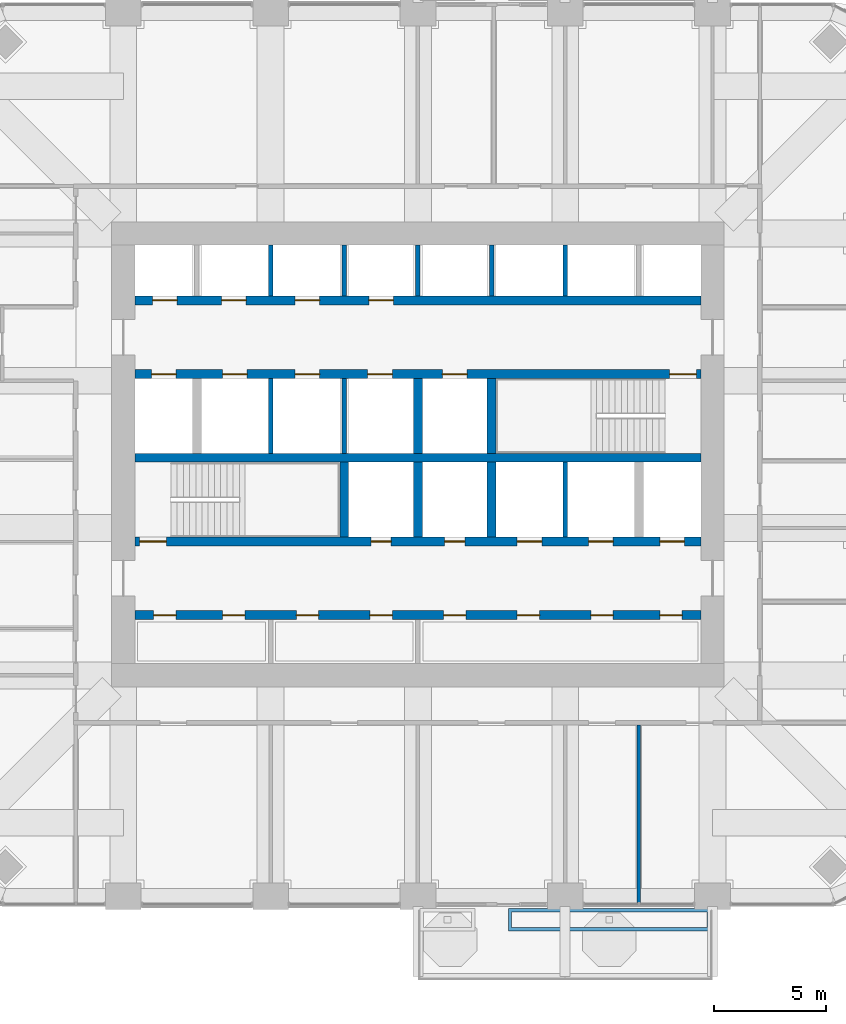
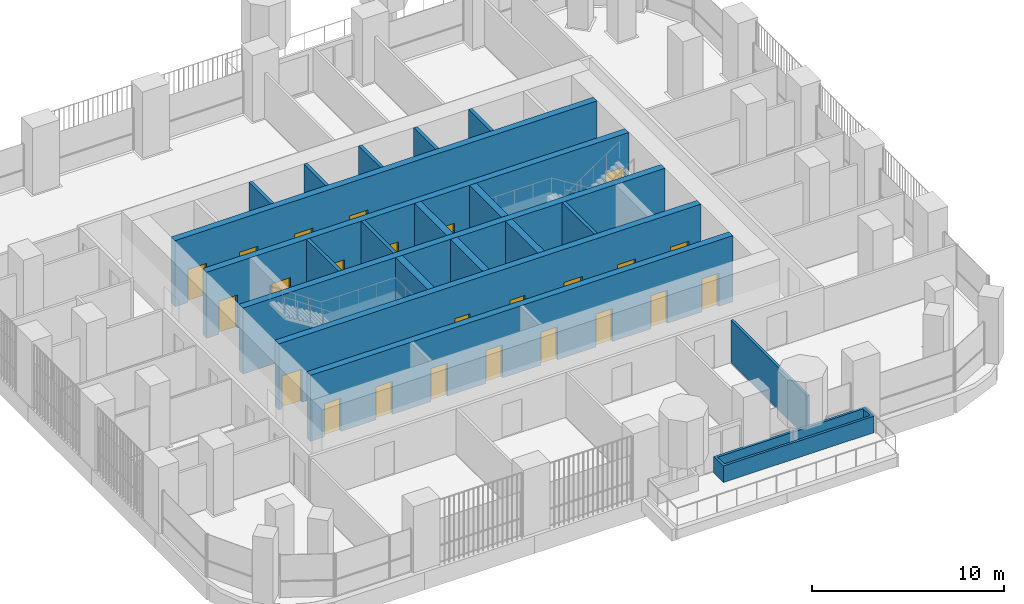
# One storey, part 14 of 20: 24 doors, 20 walls, 24 openings.
"""IFC4 building model written with IfcOpenShell, lengths in metres."""

import ifcopenshell
import ifcopenshell.guid

model = None  # the IFC model being written
_history = None  # IfcOwnerHistory: only IFC2X3 demands one
_inside = {}  # id of a spatial element -> (the spatial element, [elements in it])
_under = {}  # id of a project, library or spatial element -> (it, [spatial elements below it])
_declared = {}  # id of a project -> (the project, [libraries it declares])
_typed = {}  # id of a type object -> (the type object, [elements of that type])
_made_of = {}  # id of a material, layer set ... -> (it, [elements and type objects made of it])


def new_model(schema):
    """Start an empty IFC model of exactly this schema.

    Asked for "IFC4X3", IfcOpenShell would pick the latest addendum, in which some entities
    have other attributes; the version numbers below select the first issue.
    IFC2X3 requires an IfcOwnerHistory on every rooted entity: one is made here for all.
    """
    global model, _history
    if schema == "IFC4X3":
        model = ifcopenshell.file(schema_version=(4, 3, 0, 0))
    else:
        model = ifcopenshell.file(schema=schema)
    _inside.clear()
    _under.clear()
    _declared.clear()
    _typed.clear()
    _made_of.clear()
    _history = None
    if model.schema == "IFC2X3":
        org = make("IfcOrganization", Name="unknown")
        user = make(
            "IfcPersonAndOrganization",
            ThePerson=make("IfcPerson", FamilyName="unknown"),
            TheOrganization=org,
        )
        app = make(
            "IfcApplication",
            ApplicationDeveloper=org,
            Version="unknown",
            ApplicationFullName="unknown",
            ApplicationIdentifier="unknown",
        )
        _history = make(
            "IfcOwnerHistory",
            OwningUser=user,
            OwningApplication=app,
            ChangeAction="ADDED",
            CreationDate=0,
        )
    return model


def make(cls, **values):
    """One entity of the class cls with the attributes given. An attribute that is None is left unset."""
    return model.create_entity(
        cls, **{name: value for name, value in values.items() if value is not None}
    )


def rooted(cls, **values):
    """An entity with a GlobalId (a new one), such as an element, a storey or a relation."""
    return make(cls, GlobalId=ifcopenshell.guid.new(), OwnerHistory=_history, **values)


def si_unit(unit_type, name, prefix=None):
    """IfcSIUnit, for example si_unit("LENGTHUNIT", "METRE", prefix="MILLI")."""
    return make("IfcSIUnit", UnitType=unit_type, Prefix=prefix, Name=name)


def assignment(units):
    """IfcUnitAssignment: the units of a project."""
    return None if units is None else make("IfcUnitAssignment", Units=units)


def point(xyz):
    """IfcCartesianPoint."""
    return None if xyz is None else make("IfcCartesianPoint", Coordinates=xyz)


def direction(xyz):
    """IfcDirection."""
    return None if xyz is None else make("IfcDirection", DirectionRatios=xyz)


def frame(location, z_axis=None, x_axis=None):
    """IfcAxis2Placement3D, a coordinate frame: its origin and axes. An axis left out is left unset."""
    return make(
        "IfcAxis2Placement3D",
        Location=point(location),
        Axis=direction(z_axis),
        RefDirection=direction(x_axis),
    )


def frame_2d(location, x_axis=None):
    """IfcAxis2Placement2D, a coordinate frame in the plane: its origin and x axis."""
    return make(
        "IfcAxis2Placement2D", Location=point(location), RefDirection=direction(x_axis)
    )


def origin():
    """The frame at (0, 0, 0) with its axes left unset."""
    return frame((0.0, 0.0, 0.0))


def place(relative_to, where):
    """IfcLocalPlacement: puts the frame where relative to a parent placement (None: the world)."""
    return make(
        "IfcLocalPlacement", PlacementRelTo=relative_to, RelativePlacement=where
    )


def context(
    kind, dimensions, precision=None, world=None, true_north=None, identifier=None
):
    """IfcGeometricRepresentationContext, for example the 3D "Model" context."""
    return make(
        "IfcGeometricRepresentationContext",
        ContextIdentifier=identifier,
        ContextType=kind,
        CoordinateSpaceDimension=dimensions,
        Precision=precision,
        WorldCoordinateSystem=world,
        TrueNorth=true_north,
    )


def subcontext(parent, identifier, kind, view, scale=None):
    """IfcGeometricRepresentationSubContext, for example "Body" below "Model"."""
    return make(
        "IfcGeometricRepresentationSubContext",
        ContextIdentifier=identifier,
        ContextType=kind,
        ParentContext=parent,
        TargetScale=scale,
        TargetView=view,
    )


def project(units=None, contexts=None):
    """IfcProject with its units and contexts."""
    return rooted(
        "IfcProject",
        Name="project",
        RepresentationContexts=contexts,
        UnitsInContext=assignment(units),
    )


def spatial(cls, under=None, at=None, **own):
    """A site, building, storey or space (cls), placed at a placement, below another one or the project."""
    s = rooted(cls, ObjectPlacement=at, **own)
    if under is not None:
        _under.setdefault(under.id(), (under, []))[1].append(s)
    return s


def polyline(points):
    """IfcPolyline through the points."""
    return make("IfcPolyline", Points=[point(p) for p in points])


def profile(cls, at=None, kind="AREA", **sizes):
    """A parametric profile (cls). Its sizes go by their IFC names, for example OverallWidth=200.0."""
    return make(cls, ProfileType=kind, Position=at, **sizes)


def rectangle(**sizes):
    """IfcRectangleProfileDef."""
    return profile("IfcRectangleProfileDef", **sizes)


def outline(outer, holes=None, kind="AREA"):
    """IfcArbitraryClosedProfileDef: a profile drawn as a closed curve; with holes, ...WithVoids."""
    if holes is None:
        return make("IfcArbitraryClosedProfileDef", ProfileType=kind, OuterCurve=outer)
    return make(
        "IfcArbitraryProfileDefWithVoids",
        ProfileType=kind,
        OuterCurve=outer,
        InnerCurves=holes,
    )


def extrude(swept, where, along, depth):
    """IfcExtrudedAreaSolid: the profile swept, set in the frame where, extruded along a direction by depth."""
    return make(
        "IfcExtrudedAreaSolid",
        SweptArea=swept,
        Position=where,
        ExtrudedDirection=direction(along),
        Depth=depth,
    )


def shape(context_of_items, identifier, shape_type, items):
    """IfcShapeRepresentation: the items that make up one representation, for example the "Body"."""
    return make(
        "IfcShapeRepresentation",
        ContextOfItems=context_of_items,
        RepresentationIdentifier=identifier,
        RepresentationType=shape_type,
        Items=items,
    )


def material(Name=None, Category=None):
    """IfcMaterial."""
    return make("IfcMaterial", Name=Name, Category=Category)


def layer(
    of_material, thickness, ventilated=None, Name=None, Category=None, Priority=None
):
    """IfcMaterialLayer: one layer of a wall or slab, of a material (None: an air gap)."""
    return make(
        "IfcMaterialLayer",
        Material=of_material,
        LayerThickness=thickness,
        IsVentilated=ventilated,
        Name=Name,
        Category=Category,
        Priority=Priority,
    )


def layer_set(layers, Name=None):
    """IfcMaterialLayerSet."""
    return make("IfcMaterialLayerSet", MaterialLayers=layers, LayerSetName=Name)


def made_of(thing, what):
    """Note that an element or type object is made of a material, layer set ...; save() writes the relation."""
    if what is not None:
        _made_of.setdefault(what.id(), (what, []))[1].append(thing)
    return thing


def type_object(cls, material=None, **own):
    """A type object (cls), such as IfcWallType, which elements share."""
    return made_of(rooted(cls, **own), material)


def element(
    cls,
    number,
    at=None,
    inside=None,
    cuts=None,
    type_object=None,
    material=None,
    context=None,
    identifier="Body",
    shape_type=None,
    held_by="IfcProductDefinitionShape",
    body=None,
    shapes=None,
    **own,
):
    """One element of the class cls, such as IfcWall. Its Tag is "e" and its number.

    at: its placement. inside: the storey or other place that contains it. cuts: it is an
    opening in that element (IfcRelVoidsElement). A single representation is given by context,
    identifier, shape_type and body (its items); several are given by shapes. held_by: the class
    of the entity that holds the representations. save() writes the other relations.
    """
    e = rooted(cls, Tag="e%d" % number, ObjectPlacement=at, **own)
    if body is not None:
        shapes = [shape(context, identifier, shape_type, body)]
    if shapes is not None:
        e.Representation = make(held_by, Representations=shapes)
    if inside is not None:
        _inside.setdefault(inside.id(), (inside, []))[1].append(e)
    if cuts is not None:
        rooted(
            "IfcRelVoidsElement", RelatingBuildingElement=cuts, RelatedOpeningElement=e
        )
    if type_object is not None:
        _typed.setdefault(type_object.id(), (type_object, []))[1].append(e)
    return made_of(e, material)


def fill(opening, filler):
    """IfcRelFillsElement: the door or window that sits in an opening."""
    return rooted(
        "IfcRelFillsElement",
        RelatingOpeningElement=opening,
        RelatedBuildingElement=filler,
    )


def aggregate(whole, parts):
    """IfcRelAggregates: a whole, such as a stair, and the parts it consists of."""
    return rooted("IfcRelAggregates", RelatingObject=whole, RelatedObjects=parts)


def save(model, path):
    """Write the relations noted so far, then the file.

    IfcRelAggregates (storeys below a building ...), IfcRelContainedInSpatialStructure (elements
    in a storey), IfcRelDefinesByType, IfcRelAssociatesMaterial and IfcRelDeclares: one each for
    every whole, place, type object, material and project.
    """
    for whole, parts in _under.values():
        aggregate(whole, parts)
    for where, things in _inside.values():
        rooted(
            "IfcRelContainedInSpatialStructure",
            RelatedElements=things,
            RelatingStructure=where,
        )
    for kind, things in _typed.values():
        rooted("IfcRelDefinesByType", RelatedObjects=things, RelatingType=kind)
    for what, things in _made_of.values():
        rooted("IfcRelAssociatesMaterial", RelatedObjects=things, RelatingMaterial=what)
    for by, libraries in _declared.values():
        rooted("IfcRelDeclares", RelatingContext=by, RelatedDefinitions=libraries)
    model.write(path)


model = new_model("IFC4")

# Units and contexts
model_context = context("Model", 3, precision=1e-05, world=origin(), true_north=direction((0.0, 1.0)))
body_context = subcontext(model_context, "Body", "Model", "MODEL_VIEW")
ifc_project = project(units=[si_unit("LENGTHUNIT", "METRE"), si_unit("AREAUNIT", "SQUARE_METRE"), si_unit("VOLUMEUNIT", "CUBIC_METRE"), si_unit("PLANEANGLEUNIT", "RADIAN"), si_unit("MASSUNIT", "GRAM", prefix="KILO")], contexts=[model_context])

# Site, building, storey
site_placement = place(None, origin())
site = spatial("IfcSite", under=ifc_project, at=site_placement, CompositionType="ELEMENT")
building_placement = place(site_placement, origin())
building = spatial("IfcBuilding", under=site, at=building_placement, Name="Cobogo Forest Laboratory Tower", CompositionType="ELEMENT")
storey_placement = place(building_placement, frame((0.0, 0.0, 189.300048828125)))
storey = spatial("IfcBuildingStorey", under=building, at=storey_placement, Name="L43", CompositionType="ELEMENT", Elevation=189.300048828125)

# Wall, openings, doors
ifc_material_1 = material(Name="Concrete HA-50 (C50/60)", Category="concrete")
ifc_layer_1 = layer(ifc_material_1, 0.39990234375)
ifc_layer_set_1 = layer_set([ifc_layer_1], Name="CI400 core inner wall 400")
wall_type_1 = type_object("IfcWallType", Name="CI400 core inner wall 400", PredefinedType="SHEAR", material=ifc_layer_set_1)
wall_1_placement = place(storey_placement, frame((13.72509765625, 15.89990234375, 0.0), z_axis=(0.0, 0.0, 1.0), x_axis=(1.0, 0.0, 0.0)))
wall_1 = element("IfcWall", 1, at=wall_1_placement, inside=storey, type_object=wall_type_1, Name="Core wall CI-15.9 L43", PredefinedType="SHEAR", context=body_context, shape_type="SweptSolid", body=[
    extrude(rectangle(XDim=25.349853515625, YDim=0.39990234375, at=frame_2d((12.6748046875, 0.0))), origin(), (0.0, 0.0, 1.0), 4.199951171875),
])
opening_1_placement = place(wall_1_placement, frame((0.83740234375, 0.0, 0.0)))
opening_1 = element("IfcOpeningElement", 2, at=opening_1_placement, cuts=wall_1, Name="Opening L43-D10", PredefinedType="OPENING", context=body_context, shape_type="SweptSolid", body=[
    extrude(rectangle(XDim=1.0, YDim=2.10009765625, at=frame_2d((0.5, 1.050048828125))), frame((0.0, 0.2099609375, 0.0), z_axis=(0.0, -1.0, 0.0), x_axis=(1.0, 0.0, 0.0)), (0.0, 0.0, 1.0), 0.419921875),
])
opening_2_placement = place(wall_1_placement, frame((3.925048828125, 0.0, 0.0)))
opening_2 = element("IfcOpeningElement", 3, at=opening_2_placement, cuts=wall_1, Name="Opening L43-D11", PredefinedType="OPENING", context=body_context, shape_type="SweptSolid", body=[
    extrude(rectangle(XDim=1.0, YDim=2.10009765625, at=frame_2d((0.5, 1.050048828125))), frame((0.0, 0.2099609375, 0.0), z_axis=(0.0, -1.0, 0.0), x_axis=(1.0, 0.0, 0.0)), (0.0, 0.0, 1.0), 0.419921875),
])
opening_3_placement = place(wall_1_placement, frame((7.22509765625, 0.0, 0.0)))
opening_3 = element("IfcOpeningElement", 4, at=opening_3_placement, cuts=wall_1, Name="Opening L43-D12", PredefinedType="OPENING", context=body_context, shape_type="SweptSolid", body=[
    extrude(rectangle(XDim=1.0, YDim=2.10009765625, at=frame_2d((0.5, 1.050048828125))), frame((0.0, 0.2099609375, 0.0), z_axis=(0.0, -1.0, 0.0), x_axis=(1.0, 0.0, 0.0)), (0.0, 0.0, 1.0), 0.419921875),
])
opening_4_placement = place(wall_1_placement, frame((10.52490234375, 0.0, 0.0)))
opening_4 = element("IfcOpeningElement", 5, at=opening_4_placement, cuts=wall_1, Name="Opening L43-D13", PredefinedType="OPENING", context=body_context, shape_type="SweptSolid", body=[
    extrude(rectangle(XDim=1.0, YDim=2.10009765625, at=frame_2d((0.5, 1.050048828125))), frame((0.0, 0.2099609375, 0.0), z_axis=(0.0, -1.0, 0.0), x_axis=(1.0, 0.0, 0.0)), (0.0, 0.0, 1.0), 0.419921875),
])
opening_5_placement = place(wall_1_placement, frame((13.824951171875, 0.0, 0.0)))
opening_5 = element("IfcOpeningElement", 6, at=opening_5_placement, cuts=wall_1, Name="Opening L43-D14", PredefinedType="OPENING", context=body_context, shape_type="SweptSolid", body=[
    extrude(rectangle(XDim=1.0, YDim=2.10009765625, at=frame_2d((0.5, 1.050048828125))), frame((0.0, 0.2099609375, 0.0), z_axis=(0.0, -1.0, 0.0), x_axis=(1.0, 0.0, 0.0)), (0.0, 0.0, 1.0), 0.419921875),
])
opening_6_placement = place(wall_1_placement, frame((17.125, 0.0, 0.0)))
opening_6 = element("IfcOpeningElement", 7, at=opening_6_placement, cuts=wall_1, Name="Opening L43-D15", PredefinedType="OPENING", context=body_context, shape_type="SweptSolid", body=[
    extrude(rectangle(XDim=1.0, YDim=2.10009765625, at=frame_2d((0.5, 1.050048828125))), frame((0.0, 0.2099609375, 0.0), z_axis=(0.0, -1.0, 0.0), x_axis=(1.0, 0.0, 0.0)), (0.0, 0.0, 1.0), 0.419921875),
])
opening_7_placement = place(wall_1_placement, frame((20.425048828125, 0.0, 0.0)))
opening_7 = element("IfcOpeningElement", 8, at=opening_7_placement, cuts=wall_1, Name="Opening L43-D16", PredefinedType="OPENING", context=body_context, shape_type="SweptSolid", body=[
    extrude(rectangle(XDim=1.0, YDim=2.10009765625, at=frame_2d((0.5, 1.050048828125))), frame((0.0, 0.2099609375, 0.0), z_axis=(0.0, -1.0, 0.0), x_axis=(1.0, 0.0, 0.0)), (0.0, 0.0, 1.0), 0.419921875),
])
opening_8_placement = place(wall_1_placement, frame((23.512451171875, 0.0, 0.0)))
opening_8 = element("IfcOpeningElement", 9, at=opening_8_placement, cuts=wall_1, Name="Opening L43-D17", PredefinedType="OPENING", context=body_context, shape_type="SweptSolid", body=[
    extrude(rectangle(XDim=1.0, YDim=2.10009765625, at=frame_2d((0.5, 1.050048828125))), frame((0.0, 0.2099609375, 0.0), z_axis=(0.0, -1.0, 0.0), x_axis=(1.0, 0.0, 0.0)), (0.0, 0.0, 1.0), 0.419921875),
])
ifc_material_2 = material(Name="Steel fire door", Category="steel")
door_type_1 = type_object("IfcDoorType", Name="FD1 fire door 1000 EI2 60", OperationType="SINGLE_SWING_LEFT", PredefinedType="DOOR", material=ifc_material_2)
door_1_placement = place(opening_1_placement, origin())
door_1 = element("IfcDoor", 10, at=door_1_placement, inside=storey, type_object=door_type_1, Name="Door L43-SH-LA1", OperationType="SINGLE_SWING_LEFT", OverallHeight=2.10009765625, OverallWidth=1.0, PredefinedType="DOOR", context=body_context, shape_type="SweptSolid", body=[
    extrude(rectangle(XDim=1.0, YDim=2.10009765625, at=frame_2d((0.5, 1.050048828125))), frame((0.0, 0.02490234375, 0.0), z_axis=(0.0, -1.0, 0.0), x_axis=(1.0, 0.0, 0.0)), (0.0, 0.0, 1.0), 0.050048828125),
])
fill(opening_1, door_1)
door_2_placement = place(opening_2_placement, origin())
door_2 = element("IfcDoor", 11, at=door_2_placement, inside=storey, type_object=door_type_1, Name="Door L43-SH-LA2", OperationType="SINGLE_SWING_LEFT", OverallHeight=2.10009765625, OverallWidth=1.0, PredefinedType="DOOR", context=body_context, shape_type="SweptSolid", body=[
    extrude(rectangle(XDim=1.0, YDim=2.10009765625, at=frame_2d((0.5, 1.050048828125))), frame((0.0, 0.02490234375, 0.0), z_axis=(0.0, -1.0, 0.0), x_axis=(1.0, 0.0, 0.0)), (0.0, 0.0, 1.0), 0.050048828125),
])
fill(opening_2, door_2)
door_3_placement = place(opening_3_placement, origin())
door_3 = element("IfcDoor", 12, at=door_3_placement, inside=storey, type_object=door_type_1, Name="Door L43-SH-LA3", OperationType="SINGLE_SWING_LEFT", OverallHeight=2.10009765625, OverallWidth=1.0, PredefinedType="DOOR", context=body_context, shape_type="SweptSolid", body=[
    extrude(rectangle(XDim=1.0, YDim=2.10009765625, at=frame_2d((0.5, 1.050048828125))), frame((0.0, 0.02490234375, 0.0), z_axis=(0.0, -1.0, 0.0), x_axis=(1.0, 0.0, 0.0)), (0.0, 0.0, 1.0), 0.050048828125),
])
fill(opening_3, door_3)
door_4_placement = place(opening_4_placement, origin())
door_4 = element("IfcDoor", 13, at=door_4_placement, inside=storey, type_object=door_type_1, Name="Door L43-SH-LA4", OperationType="SINGLE_SWING_LEFT", OverallHeight=2.10009765625, OverallWidth=1.0, PredefinedType="DOOR", context=body_context, shape_type="SweptSolid", body=[
    extrude(rectangle(XDim=1.0, YDim=2.10009765625, at=frame_2d((0.5, 1.050048828125))), frame((0.0, 0.02490234375, 0.0), z_axis=(0.0, -1.0, 0.0), x_axis=(1.0, 0.0, 0.0)), (0.0, 0.0, 1.0), 0.050048828125),
])
fill(opening_4, door_4)
door_5_placement = place(opening_5_placement, origin())
door_5 = element("IfcDoor", 14, at=door_5_placement, inside=storey, type_object=door_type_1, Name="Door L43-SH-LB1", OperationType="SINGLE_SWING_RIGHT", OverallHeight=2.10009765625, OverallWidth=1.0, PredefinedType="DOOR", context=body_context, shape_type="SweptSolid", body=[
    extrude(rectangle(XDim=1.0, YDim=2.10009765625, at=frame_2d((0.5, 1.050048828125))), frame((0.0, 0.02490234375, 0.0), z_axis=(0.0, -1.0, 0.0), x_axis=(1.0, 0.0, 0.0)), (0.0, 0.0, 1.0), 0.050048828125),
])
fill(opening_5, door_5)
door_6_placement = place(opening_6_placement, origin())
door_6 = element("IfcDoor", 15, at=door_6_placement, inside=storey, type_object=door_type_1, Name="Door L43-SH-LB2", OperationType="SINGLE_SWING_RIGHT", OverallHeight=2.10009765625, OverallWidth=1.0, PredefinedType="DOOR", context=body_context, shape_type="SweptSolid", body=[
    extrude(rectangle(XDim=1.0, YDim=2.10009765625, at=frame_2d((0.5, 1.050048828125))), frame((0.0, 0.02490234375, 0.0), z_axis=(0.0, -1.0, 0.0), x_axis=(1.0, 0.0, 0.0)), (0.0, 0.0, 1.0), 0.050048828125),
])
fill(opening_6, door_6)
door_7_placement = place(opening_7_placement, origin())
door_7 = element("IfcDoor", 16, at=door_7_placement, inside=storey, type_object=door_type_1, Name="Door L43-SH-LB3", OperationType="SINGLE_SWING_RIGHT", OverallHeight=2.10009765625, OverallWidth=1.0, PredefinedType="DOOR", context=body_context, shape_type="SweptSolid", body=[
    extrude(rectangle(XDim=1.0, YDim=2.10009765625, at=frame_2d((0.5, 1.050048828125))), frame((0.0, 0.02490234375, 0.0), z_axis=(0.0, -1.0, 0.0), x_axis=(1.0, 0.0, 0.0)), (0.0, 0.0, 1.0), 0.050048828125),
])
fill(opening_7, door_7)
door_8_placement = place(opening_8_placement, origin())
door_8 = element("IfcDoor", 17, at=door_8_placement, inside=storey, type_object=door_type_1, Name="Door L43-SH-LB4", OperationType="SINGLE_SWING_RIGHT", OverallHeight=2.10009765625, OverallWidth=1.0, PredefinedType="DOOR", context=body_context, shape_type="SweptSolid", body=[
    extrude(rectangle(XDim=1.0, YDim=2.10009765625, at=frame_2d((0.5, 1.050048828125))), frame((0.0, 0.02490234375, 0.0), z_axis=(0.0, -1.0, 0.0), x_axis=(1.0, 0.0, 0.0)), (0.0, 0.0, 1.0), 0.050048828125),
])
fill(opening_8, door_8)

wall_2_placement = place(storey_placement, frame((13.72509765625, 19.199951171875, 0.0), z_axis=(0.0, 0.0, 1.0), x_axis=(1.0, 0.0, 0.0)))
wall_2 = element("IfcWall", 18, at=wall_2_placement, inside=storey, type_object=wall_type_1, Name="Core wall CI-19.2 L43", PredefinedType="SHEAR", context=body_context, shape_type="SweptSolid", body=[
    extrude(rectangle(XDim=25.349853515625, YDim=0.39990234375, at=frame_2d((12.6748046875, 0.0))), origin(), (0.0, 0.0, 1.0), 4.199951171875),
])
opening_9_placement = place(wall_2_placement, frame((10.574951171875, 0.0, 0.0)))
opening_9 = element("IfcOpeningElement", 19, at=opening_9_placement, cuts=wall_2, Name="Opening L43-D23", PredefinedType="OPENING", context=body_context, shape_type="SweptSolid", body=[
    extrude(rectangle(XDim=0.89990234375, YDim=2.10009765625, at=frame_2d((0.449951171875, 1.050048828125))), frame((0.0, 0.2099609375, 0.0), z_axis=(0.0, -1.0, 0.0), x_axis=(1.0, 0.0, 0.0)), (0.0, 0.0, 1.0), 0.419921875),
])
opening_10_placement = place(wall_2_placement, frame((13.875, 0.0, 0.0)))
opening_10 = element("IfcOpeningElement", 20, at=opening_10_placement, cuts=wall_2, Name="Opening L43-D24", PredefinedType="OPENING", context=body_context, shape_type="SweptSolid", body=[
    extrude(rectangle(XDim=0.89990234375, YDim=2.10009765625, at=frame_2d((0.449951171875, 1.050048828125))), frame((0.0, 0.2099609375, 0.0), z_axis=(0.0, -1.0, 0.0), x_axis=(1.0, 0.0, 0.0)), (0.0, 0.0, 1.0), 0.419921875),
])
opening_11_placement = place(wall_2_placement, frame((0.199951171875, 0.0, 0.0)))
opening_11 = element("IfcOpeningElement", 21, at=opening_11_placement, cuts=wall_2, Name="Opening L43-D22", PredefinedType="OPENING", context=body_context, shape_type="SweptSolid", body=[
    extrude(rectangle(XDim=1.199951171875, YDim=2.10009765625, at=frame_2d((0.60009765625, 1.050048828125))), frame((0.0, 0.2099609375, 0.0), z_axis=(0.0, -1.0, 0.0), x_axis=(1.0, 0.0, 0.0)), (0.0, 0.0, 1.0), 0.419921875),
])
opening_12_placement = place(wall_2_placement, frame((23.512451171875, 0.0, 0.0)))
opening_12 = element("IfcOpeningElement", 22, at=opening_12_placement, cuts=wall_2, Name="Opening L43-LD-FL2", PredefinedType="OPENING", context=body_context, shape_type="SweptSolid", body=[
    extrude(rectangle(XDim=1.10009765625, YDim=2.10009765625, at=frame_2d((0.550048828125, 1.050048828125))), frame((0.0, 0.2099609375, 0.0), z_axis=(0.0, -1.0, 0.0), x_axis=(1.0, 0.0, 0.0)), (0.0, 0.0, 1.0), 0.419921875),
])
opening_13_placement = place(wall_2_placement, frame((17.125, 0.0, 0.0)))
opening_13 = element("IfcOpeningElement", 23, at=opening_13_placement, cuts=wall_2, Name="Opening L43-LD-LS1", PredefinedType="OPENING", context=body_context, shape_type="SweptSolid", body=[
    extrude(rectangle(XDim=1.10009765625, YDim=2.10009765625, at=frame_2d((0.550048828125, 1.050048828125))), frame((0.0, 0.2099609375, 0.0), z_axis=(0.0, -1.0, 0.0), x_axis=(1.0, 0.0, 0.0)), (0.0, 0.0, 1.0), 0.419921875),
])
opening_14_placement = place(wall_2_placement, frame((20.324951171875, 0.0, 0.0)))
opening_14 = element("IfcOpeningElement", 24, at=opening_14_placement, cuts=wall_2, Name="Opening L43-LD-LS2", PredefinedType="OPENING", context=body_context, shape_type="SweptSolid", body=[
    extrude(rectangle(XDim=1.10009765625, YDim=2.10009765625, at=frame_2d((0.550048828125, 1.050048828125))), frame((0.0, 0.2099609375, 0.0), z_axis=(0.0, -1.0, 0.0), x_axis=(1.0, 0.0, 0.0)), (0.0, 0.0, 1.0), 0.419921875),
])
door_type_2 = type_object("IfcDoorType", Name="DS1 protected stair door 1200 EI2 60", OperationType="SINGLE_SWING_LEFT", PredefinedType="DOOR", material=ifc_material_2)
door_9_placement = place(opening_11_placement, origin())
door_9 = element("IfcDoor", 25, at=door_9_placement, inside=storey, type_object=door_type_2, Name="Door L43-ST1", OperationType="SINGLE_SWING_LEFT", OverallHeight=2.10009765625, OverallWidth=1.199951171875, PredefinedType="DOOR", context=body_context, shape_type="SweptSolid", body=[
    extrude(rectangle(XDim=1.199951171875, YDim=2.10009765625, at=frame_2d((0.60009765625, 1.050048828125))), frame((0.0, 0.02490234375, 0.0), z_axis=(0.0, -1.0, 0.0), x_axis=(1.0, 0.0, 0.0)), (0.0, 0.0, 1.0), 0.050048828125),
])
fill(opening_11, door_9)
door_type_3 = type_object("IfcDoorType", Name="FD4 riser access door 900 EI2 60", OperationType="SINGLE_SWING_LEFT", PredefinedType="DOOR", material=ifc_material_2)
door_10_placement = place(opening_9_placement, origin())
door_10 = element("IfcDoor", 26, at=door_10_placement, inside=storey, type_object=door_type_3, Name="Door L43-R1", OperationType="SINGLE_SWING_LEFT", OverallHeight=2.10009765625, OverallWidth=0.89990234375, PredefinedType="DOOR", context=body_context, shape_type="SweptSolid", body=[
    extrude(rectangle(XDim=0.89990234375, YDim=2.10009765625, at=frame_2d((0.449951171875, 1.050048828125))), frame((0.0, 0.02490234375, 0.0), z_axis=(0.0, -1.0, 0.0), x_axis=(1.0, 0.0, 0.0)), (0.0, 0.0, 1.0), 0.050048828125),
])
fill(opening_9, door_10)
door_11_placement = place(opening_10_placement, origin())
door_11 = element("IfcDoor", 27, at=door_11_placement, inside=storey, type_object=door_type_3, Name="Door L43-R2", OperationType="SINGLE_SWING_RIGHT", OverallHeight=2.10009765625, OverallWidth=0.89990234375, PredefinedType="DOOR", context=body_context, shape_type="SweptSolid", body=[
    extrude(rectangle(XDim=0.89990234375, YDim=2.10009765625, at=frame_2d((0.449951171875, 1.050048828125))), frame((0.0, 0.02490234375, 0.0), z_axis=(0.0, -1.0, 0.0), x_axis=(1.0, 0.0, 0.0)), (0.0, 0.0, 1.0), 0.050048828125),
])
fill(opening_10, door_11)
ifc_material_3 = material(Name="Stainless steel lift door", Category="steel")
door_type_4 = type_object("IfcDoorType", Name="LD lift landing door 1100", OperationType="DOUBLE_DOOR_SLIDING", PredefinedType="DOOR", material=ifc_material_3)
door_12_placement = place(opening_12_placement, origin())
door_12 = element("IfcDoor", 28, at=door_12_placement, inside=storey, type_object=door_type_4, Name="Lift landing door FL2 L43", OperationType="DOUBLE_DOOR_SLIDING", OverallHeight=2.10009765625, OverallWidth=1.10009765625, PredefinedType="DOOR", context=body_context, shape_type="SweptSolid", body=[
    extrude(rectangle(XDim=1.10009765625, YDim=2.10009765625, at=frame_2d((0.550048828125, 1.050048828125))), frame((0.0, 0.02490234375, 0.0), z_axis=(0.0, -1.0, 0.0), x_axis=(1.0, 0.0, 0.0)), (0.0, 0.0, 1.0), 0.050048828125),
])
fill(opening_12, door_12)
door_13_placement = place(opening_13_placement, origin())
door_13 = element("IfcDoor", 29, at=door_13_placement, inside=storey, type_object=door_type_4, Name="Lift landing door LS1 L43", OperationType="DOUBLE_DOOR_SLIDING", OverallHeight=2.10009765625, OverallWidth=1.10009765625, PredefinedType="DOOR", context=body_context, shape_type="SweptSolid", body=[
    extrude(rectangle(XDim=1.10009765625, YDim=2.10009765625, at=frame_2d((0.550048828125, 1.050048828125))), frame((0.0, 0.02490234375, 0.0), z_axis=(0.0, -1.0, 0.0), x_axis=(1.0, 0.0, 0.0)), (0.0, 0.0, 1.0), 0.050048828125),
])
fill(opening_13, door_13)
door_14_placement = place(opening_14_placement, origin())
door_14 = element("IfcDoor", 30, at=door_14_placement, inside=storey, type_object=door_type_4, Name="Lift landing door LS2 L43", OperationType="DOUBLE_DOOR_SLIDING", OverallHeight=2.10009765625, OverallWidth=1.10009765625, PredefinedType="DOOR", context=body_context, shape_type="SweptSolid", body=[
    extrude(rectangle(XDim=1.10009765625, YDim=2.10009765625, at=frame_2d((0.550048828125, 1.050048828125))), frame((0.0, 0.02490234375, 0.0), z_axis=(0.0, -1.0, 0.0), x_axis=(1.0, 0.0, 0.0)), (0.0, 0.0, 1.0), 0.050048828125),
])
fill(opening_14, door_14)

# Wall
wall_3_placement = place(storey_placement, frame((13.72509765625, 22.949951171875, 0.0), z_axis=(0.0, 0.0, 1.0), x_axis=(1.0, 0.0, 0.0)))
element("IfcWall", 31, at=wall_3_placement, inside=storey, type_object=wall_type_1, Name="Core wall CI-22.95 L43", PredefinedType="SHEAR", context=body_context, shape_type="SweptSolid", body=[
    extrude(rectangle(XDim=25.349853515625, YDim=0.39990234375, at=frame_2d((12.6748046875, 0.0))), origin(), (0.0, 0.0, 1.0), 4.199951171875),
])

# Wall, openings, doors
wall_4_placement = place(storey_placement, frame((13.72509765625, 26.699951171875, 0.0), z_axis=(0.0, 0.0, 1.0), x_axis=(1.0, 0.0, 0.0)))
wall_4 = element("IfcWall", 32, at=wall_4_placement, inside=storey, type_object=wall_type_1, Name="Core wall CI-26.7 L43", PredefinedType="SHEAR", context=body_context, shape_type="SweptSolid", body=[
    extrude(rectangle(XDim=25.349853515625, YDim=0.39990234375, at=frame_2d((12.6748046875, 0.0))), origin(), (0.0, 0.0, 1.0), 4.199951171875),
])
opening_15_placement = place(wall_4_placement, frame((23.949951171875, 0.0, 0.0)))
opening_15 = element("IfcOpeningElement", 33, at=opening_15_placement, cuts=wall_4, Name="Opening L43-D29", PredefinedType="OPENING", context=body_context, shape_type="SweptSolid", body=[
    extrude(rectangle(XDim=1.199951171875, YDim=2.10009765625, at=frame_2d((0.60009765625, 1.050048828125))), frame((0.0, 0.2099609375, 0.0), z_axis=(0.0, -1.0, 0.0), x_axis=(1.0, 0.0, 0.0)), (0.0, 0.0, 1.0), 0.419921875),
])
opening_16_placement = place(wall_4_placement, frame((0.737548828125, 0.0, 0.0)))
opening_16 = element("IfcOpeningElement", 34, at=opening_16_placement, cuts=wall_4, Name="Opening L43-LD-FL1", PredefinedType="OPENING", context=body_context, shape_type="SweptSolid", body=[
    extrude(rectangle(XDim=1.10009765625, YDim=2.10009765625, at=frame_2d((0.550048828125, 1.050048828125))), frame((0.0, 0.2099609375, 0.0), z_axis=(0.0, -1.0, 0.0), x_axis=(1.0, 0.0, 0.0)), (0.0, 0.0, 1.0), 0.419921875),
])
opening_17_placement = place(wall_4_placement, frame((3.925048828125, 0.0, 0.0)))
opening_17 = element("IfcOpeningElement", 35, at=opening_17_placement, cuts=wall_4, Name="Opening L43-LD-LS3", PredefinedType="OPENING", context=body_context, shape_type="SweptSolid", body=[
    extrude(rectangle(XDim=1.10009765625, YDim=2.10009765625, at=frame_2d((0.550048828125, 1.050048828125))), frame((0.0, 0.2099609375, 0.0), z_axis=(0.0, -1.0, 0.0), x_axis=(1.0, 0.0, 0.0)), (0.0, 0.0, 1.0), 0.419921875),
])
opening_18_placement = place(wall_4_placement, frame((7.175048828125, 0.0, 0.0)))
opening_18 = element("IfcOpeningElement", 36, at=opening_18_placement, cuts=wall_4, Name="Opening L43-LD-LS4", PredefinedType="OPENING", context=body_context, shape_type="SweptSolid", body=[
    extrude(rectangle(XDim=1.10009765625, YDim=2.10009765625, at=frame_2d((0.550048828125, 1.050048828125))), frame((0.0, 0.2099609375, 0.0), z_axis=(0.0, -1.0, 0.0), x_axis=(1.0, 0.0, 0.0)), (0.0, 0.0, 1.0), 0.419921875),
])
opening_19_placement = place(wall_4_placement, frame((10.425048828125, 0.0, 0.0)))
opening_19 = element("IfcOpeningElement", 37, at=opening_19_placement, cuts=wall_4, Name="Opening L43-LD-LS5", PredefinedType="OPENING", context=body_context, shape_type="SweptSolid", body=[
    extrude(rectangle(XDim=1.10009765625, YDim=2.10009765625, at=frame_2d((0.550048828125, 1.050048828125))), frame((0.0, 0.2099609375, 0.0), z_axis=(0.0, -1.0, 0.0), x_axis=(1.0, 0.0, 0.0)), (0.0, 0.0, 1.0), 0.419921875),
])
opening_20_placement = place(wall_4_placement, frame((13.77490234375, 0.0, 0.0)))
opening_20 = element("IfcOpeningElement", 38, at=opening_20_placement, cuts=wall_4, Name="Opening L43-LD-LS6", PredefinedType="OPENING", context=body_context, shape_type="SweptSolid", body=[
    extrude(rectangle(XDim=1.10009765625, YDim=2.10009765625, at=frame_2d((0.550048828125, 1.050048828125))), frame((0.0, 0.2099609375, 0.0), z_axis=(0.0, -1.0, 0.0), x_axis=(1.0, 0.0, 0.0)), (0.0, 0.0, 1.0), 0.419921875),
])
door_15_placement = place(opening_15_placement, origin())
door_15 = element("IfcDoor", 39, at=door_15_placement, inside=storey, type_object=door_type_2, Name="Door L43-ST2", OperationType="SINGLE_SWING_RIGHT", OverallHeight=2.10009765625, OverallWidth=1.199951171875, PredefinedType="DOOR", context=body_context, shape_type="SweptSolid", body=[
    extrude(rectangle(XDim=1.199951171875, YDim=2.10009765625, at=frame_2d((0.60009765625, 1.050048828125))), frame((0.0, 0.02490234375, 0.0), z_axis=(0.0, -1.0, 0.0), x_axis=(1.0, 0.0, 0.0)), (0.0, 0.0, 1.0), 0.050048828125),
])
fill(opening_15, door_15)
door_16_placement = place(opening_16_placement, origin())
door_16 = element("IfcDoor", 40, at=door_16_placement, inside=storey, type_object=door_type_4, Name="Lift landing door FL1 L43", OperationType="DOUBLE_DOOR_SLIDING", OverallHeight=2.10009765625, OverallWidth=1.10009765625, PredefinedType="DOOR", context=body_context, shape_type="SweptSolid", body=[
    extrude(rectangle(XDim=1.10009765625, YDim=2.10009765625, at=frame_2d((0.550048828125, 1.050048828125))), frame((0.0, 0.02490234375, 0.0), z_axis=(0.0, -1.0, 0.0), x_axis=(1.0, 0.0, 0.0)), (0.0, 0.0, 1.0), 0.050048828125),
])
fill(opening_16, door_16)
door_17_placement = place(opening_17_placement, origin())
door_17 = element("IfcDoor", 41, at=door_17_placement, inside=storey, type_object=door_type_4, Name="Lift landing door LS3 L43", OperationType="DOUBLE_DOOR_SLIDING", OverallHeight=2.10009765625, OverallWidth=1.10009765625, PredefinedType="DOOR", context=body_context, shape_type="SweptSolid", body=[
    extrude(rectangle(XDim=1.10009765625, YDim=2.10009765625, at=frame_2d((0.550048828125, 1.050048828125))), frame((0.0, 0.02490234375, 0.0), z_axis=(0.0, -1.0, 0.0), x_axis=(1.0, 0.0, 0.0)), (0.0, 0.0, 1.0), 0.050048828125),
])
fill(opening_17, door_17)
door_18_placement = place(opening_18_placement, origin())
door_18 = element("IfcDoor", 42, at=door_18_placement, inside=storey, type_object=door_type_4, Name="Lift landing door LS4 L43", OperationType="DOUBLE_DOOR_SLIDING", OverallHeight=2.10009765625, OverallWidth=1.10009765625, PredefinedType="DOOR", context=body_context, shape_type="SweptSolid", body=[
    extrude(rectangle(XDim=1.10009765625, YDim=2.10009765625, at=frame_2d((0.550048828125, 1.050048828125))), frame((0.0, 0.02490234375, 0.0), z_axis=(0.0, -1.0, 0.0), x_axis=(1.0, 0.0, 0.0)), (0.0, 0.0, 1.0), 0.050048828125),
])
fill(opening_18, door_18)
door_19_placement = place(opening_19_placement, origin())
door_19 = element("IfcDoor", 43, at=door_19_placement, inside=storey, type_object=door_type_4, Name="Lift landing door LS5 L43", OperationType="DOUBLE_DOOR_SLIDING", OverallHeight=2.10009765625, OverallWidth=1.10009765625, PredefinedType="DOOR", context=body_context, shape_type="SweptSolid", body=[
    extrude(rectangle(XDim=1.10009765625, YDim=2.10009765625, at=frame_2d((0.550048828125, 1.050048828125))), frame((0.0, 0.02490234375, 0.0), z_axis=(0.0, -1.0, 0.0), x_axis=(1.0, 0.0, 0.0)), (0.0, 0.0, 1.0), 0.050048828125),
])
fill(opening_19, door_19)
door_20_placement = place(opening_20_placement, origin())
door_20 = element("IfcDoor", 44, at=door_20_placement, inside=storey, type_object=door_type_4, Name="Lift landing door LS6 L43", OperationType="DOUBLE_DOOR_SLIDING", OverallHeight=2.10009765625, OverallWidth=1.10009765625, PredefinedType="DOOR", context=body_context, shape_type="SweptSolid", body=[
    extrude(rectangle(XDim=1.10009765625, YDim=2.10009765625, at=frame_2d((0.550048828125, 1.050048828125))), frame((0.0, 0.02490234375, 0.0), z_axis=(0.0, -1.0, 0.0), x_axis=(1.0, 0.0, 0.0)), (0.0, 0.0, 1.0), 0.050048828125),
])
fill(opening_20, door_20)

wall_5_placement = place(storey_placement, frame((13.72509765625, 30.0, 0.0), z_axis=(0.0, 0.0, 1.0), x_axis=(1.0, 0.0, 0.0)))
wall_5 = element("IfcWall", 45, at=wall_5_placement, inside=storey, type_object=wall_type_1, Name="Core wall CI-30.0 L43", PredefinedType="SHEAR", context=body_context, shape_type="SweptSolid", body=[
    extrude(rectangle(XDim=25.349853515625, YDim=0.39990234375, at=frame_2d((12.6748046875, 0.0))), origin(), (0.0, 0.0, 1.0), 4.199951171875),
])
opening_21_placement = place(wall_5_placement, frame((0.78759765625, 0.0, 0.0)))
opening_21 = element("IfcOpeningElement", 46, at=opening_21_placement, cuts=wall_5, Name="Opening L43-LD-LC1", PredefinedType="OPENING", context=body_context, shape_type="SweptSolid", body=[
    extrude(rectangle(XDim=1.10009765625, YDim=2.10009765625, at=frame_2d((0.550048828125, 1.050048828125))), frame((0.0, 0.2099609375, 0.0), z_axis=(0.0, -1.0, 0.0), x_axis=(1.0, 0.0, 0.0)), (0.0, 0.0, 1.0), 0.419921875),
])
opening_22_placement = place(wall_5_placement, frame((3.875, 0.0, 0.0)))
opening_22 = element("IfcOpeningElement", 47, at=opening_22_placement, cuts=wall_5, Name="Opening L43-LD-LC2", PredefinedType="OPENING", context=body_context, shape_type="SweptSolid", body=[
    extrude(rectangle(XDim=1.10009765625, YDim=2.10009765625, at=frame_2d((0.550048828125, 1.050048828125))), frame((0.0, 0.2099609375, 0.0), z_axis=(0.0, -1.0, 0.0), x_axis=(1.0, 0.0, 0.0)), (0.0, 0.0, 1.0), 0.419921875),
])
opening_23_placement = place(wall_5_placement, frame((7.175048828125, 0.0, 0.0)))
opening_23 = element("IfcOpeningElement", 48, at=opening_23_placement, cuts=wall_5, Name="Opening L43-LD-LC3", PredefinedType="OPENING", context=body_context, shape_type="SweptSolid", body=[
    extrude(rectangle(XDim=1.10009765625, YDim=2.10009765625, at=frame_2d((0.550048828125, 1.050048828125))), frame((0.0, 0.2099609375, 0.0), z_axis=(0.0, -1.0, 0.0), x_axis=(1.0, 0.0, 0.0)), (0.0, 0.0, 1.0), 0.419921875),
])
opening_24_placement = place(wall_5_placement, frame((10.47509765625, 0.0, 0.0)))
opening_24 = element("IfcOpeningElement", 49, at=opening_24_placement, cuts=wall_5, Name="Opening L43-LD-LC4", PredefinedType="OPENING", context=body_context, shape_type="SweptSolid", body=[
    extrude(rectangle(XDim=1.10009765625, YDim=2.10009765625, at=frame_2d((0.550048828125, 1.050048828125))), frame((0.0, 0.2099609375, 0.0), z_axis=(0.0, -1.0, 0.0), x_axis=(1.0, 0.0, 0.0)), (0.0, 0.0, 1.0), 0.419921875),
])
door_21_placement = place(opening_21_placement, origin())
door_21 = element("IfcDoor", 50, at=door_21_placement, inside=storey, type_object=door_type_4, Name="Lift landing door LC1 L43", OperationType="DOUBLE_DOOR_SLIDING", OverallHeight=2.10009765625, OverallWidth=1.10009765625, PredefinedType="DOOR", context=body_context, shape_type="SweptSolid", body=[
    extrude(rectangle(XDim=1.10009765625, YDim=2.10009765625, at=frame_2d((0.550048828125, 1.050048828125))), frame((0.0, 0.02490234375, 0.0), z_axis=(0.0, -1.0, 0.0), x_axis=(1.0, 0.0, 0.0)), (0.0, 0.0, 1.0), 0.050048828125),
])
fill(opening_21, door_21)
door_22_placement = place(opening_22_placement, origin())
door_22 = element("IfcDoor", 51, at=door_22_placement, inside=storey, type_object=door_type_4, Name="Lift landing door LC2 L43", OperationType="DOUBLE_DOOR_SLIDING", OverallHeight=2.10009765625, OverallWidth=1.10009765625, PredefinedType="DOOR", context=body_context, shape_type="SweptSolid", body=[
    extrude(rectangle(XDim=1.10009765625, YDim=2.10009765625, at=frame_2d((0.550048828125, 1.050048828125))), frame((0.0, 0.02490234375, 0.0), z_axis=(0.0, -1.0, 0.0), x_axis=(1.0, 0.0, 0.0)), (0.0, 0.0, 1.0), 0.050048828125),
])
fill(opening_22, door_22)
door_23_placement = place(opening_23_placement, origin())
door_23 = element("IfcDoor", 52, at=door_23_placement, inside=storey, type_object=door_type_4, Name="Lift landing door LC3 L43", OperationType="DOUBLE_DOOR_SLIDING", OverallHeight=2.10009765625, OverallWidth=1.10009765625, PredefinedType="DOOR", context=body_context, shape_type="SweptSolid", body=[
    extrude(rectangle(XDim=1.10009765625, YDim=2.10009765625, at=frame_2d((0.550048828125, 1.050048828125))), frame((0.0, 0.02490234375, 0.0), z_axis=(0.0, -1.0, 0.0), x_axis=(1.0, 0.0, 0.0)), (0.0, 0.0, 1.0), 0.050048828125),
])
fill(opening_23, door_23)
door_24_placement = place(opening_24_placement, origin())
door_24 = element("IfcDoor", 53, at=door_24_placement, inside=storey, type_object=door_type_4, Name="Lift landing door LC4 L43", OperationType="DOUBLE_DOOR_SLIDING", OverallHeight=2.10009765625, OverallWidth=1.10009765625, PredefinedType="DOOR", context=body_context, shape_type="SweptSolid", body=[
    extrude(rectangle(XDim=1.10009765625, YDim=2.10009765625, at=frame_2d((0.550048828125, 1.050048828125))), frame((0.0, 0.02490234375, 0.0), z_axis=(0.0, -1.0, 0.0), x_axis=(1.0, 0.0, 0.0)), (0.0, 0.0, 1.0), 0.050048828125),
])
fill(opening_24, door_24)

# Walls
for number, where, z_axis, x_axis, name in (
    (54, (23.10009765625, 19.39990234375, 0.0), (0.0, 0.0, 1.0), (0.0, 1.0, 0.0), "Core wall CX-23.1 L43"),
    (55, (26.39990234375, 19.39990234375, 0.0), (0.0, 0.0, 1.0), (0.0, 1.0, 0.0), "Core wall CX-26.4S L43"),
    (56, (29.699951171875, 19.39990234375, 0.0), (0.0, 0.0, 1.0), (0.0, 1.0, 0.0), "Core wall CX-29.7S L43"),
    (57, (26.39990234375, 23.14990234375, 0.0), (0.0, 0.0, 1.0), (0.0, 1.0, 0.0), "Core wall CX-26.4N L43"),
    (58, (29.699951171875, 23.14990234375, 0.0), (0.0, 0.0, 1.0), (0.0, 1.0, 0.0), "Core wall CX-29.7N L43"),
):
    element("IfcWall", number, at=place(storey_placement, frame(where, z_axis=z_axis, x_axis=x_axis)), inside=storey, type_object=wall_type_1, Name=name, PredefinedType="SHEAR", context=body_context, shape_type="SweptSolid", body=[
        extrude(rectangle(XDim=3.35009765625, YDim=0.39990234375, at=frame_2d((1.675048828125, 0.0))), origin(), (0.0, 0.0, 1.0), 4.199951171875),
    ])
ifc_material_4 = material(Name="Gypsum board on steel studs", Category="steel")
ifc_layer_2 = layer(ifc_material_4, 0.14990234375)
ifc_layer_set_2 = layer_set([ifc_layer_2], Name="PT1 laboratory partition 150")
wall_type_2 = type_object("IfcWallType", Name="PT1 laboratory partition 150", PredefinedType="PARTITIONING", material=ifc_layer_set_2)
wall_6_placement = place(storey_placement, frame((36.300048828125, 3.030029296875, 0.0), z_axis=(0.0, 0.0, 1.0), x_axis=(0.0, 1.0, 0.0)))
element("IfcWall", 59, at=wall_6_placement, inside=storey, type_object=wall_type_2, Name="Partition CUT-S36.3-1 L43", PredefinedType="PARTITIONING", context=body_context, shape_type="SweptSolid", body=[
    extrude(rectangle(XDim=7.945068359375, YDim=0.14990234375, at=frame_2d((3.97265625, 0.0))), origin(), (0.0, 0.0, 1.0), 2.699951171875),
])
ifc_material_5 = material(Name="Concrete HA-40 (C40/50)", Category="concrete")
ifc_layer_3 = layer(ifc_material_5, 0.14990234375)
ifc_layer_set_3 = layer_set([ifc_layer_3], Name="Planter box 1000x1050")
wall_type_3 = type_object("IfcWallType", Name="Planter box 1000x1050", PredefinedType="USERDEFINED", material=ifc_layer_set_3)
wall_7_placement = place(storey_placement, origin())
element("IfcWall", 60, at=wall_7_placement, inside=storey, type_object=wall_type_3, Name="Planter BAL-S1-2 L43", ObjectType="PLANTER", PredefinedType="USERDEFINED", context=body_context, shape_type="SweptSolid", body=[
    extrude(outline(polyline([(30.449951171875, 1.75), (39.5, 1.75), (39.5, 2.75), (30.449951171875, 2.75), (30.449951171875, 1.75)]), holes=[polyline([(30.60009765625, 1.89990234375), (39.35009765625, 1.89990234375), (39.35009765625, 2.60009765625), (30.60009765625, 2.60009765625), (30.60009765625, 1.89990234375)])]), origin(), (0.0, 0.0, 1.0), 1.050048828125),
])
ifc_material_6 = material(Name="Concrete block", Category="concrete")
ifc_layer_4 = layer(ifc_material_6, 0.199951171875)
ifc_layer_set_4 = layer_set([ifc_layer_4], Name="SW200 lift shaft separator 200")
wall_type_4 = type_object("IfcWallType", Name="SW200 lift shaft separator 200", PredefinedType="PARTITIONING", material=ifc_layer_set_4)
for number, where, z_axis, x_axis, name in (
    (61, (19.800048828125, 30.199951171875, 0.0), (0.0, 0.0, 1.0), (0.0, 1.0, 0.0), "Core wall SEP-N2 L43"),
    (62, (23.10009765625, 30.199951171875, 0.0), (0.0, 0.0, 1.0), (0.0, 1.0, 0.0), "Core wall SEP-N3 L43"),
    (63, (26.39990234375, 30.199951171875, 0.0), (0.0, 0.0, 1.0), (0.0, 1.0, 0.0), "Core wall SEP-N4 L43"),
    (64, (29.699951171875, 30.199951171875, 0.0), (0.0, 0.0, 1.0), (0.0, 1.0, 0.0), "Core wall SEP-N5 L43"),
    (65, (33.0, 30.199951171875, 0.0), (0.0, 0.0, 1.0), (0.0, 1.0, 0.0), "Core wall SEP-N6 L43"),
):
    element("IfcWall", number, at=place(storey_placement, frame(where, z_axis=z_axis, x_axis=x_axis)), inside=storey, type_object=wall_type_4, Name=name, PredefinedType="PARTITIONING", context=body_context, shape_type="SweptSolid", body=[
        extrude(rectangle(XDim=2.275146484375, YDim=0.199951171875, at=frame_2d((1.1376953125, 0.0))), origin(), (0.0, 0.0, 1.0), 4.199951171875),
    ])
for number, where, z_axis, x_axis, name in (
    (66, (33.0, 19.39990234375, 0.0), (0.0, 0.0, 1.0), (0.0, 1.0, 0.0), "Core wall SEP-M33.0 L43"),
    (67, (19.800048828125, 23.14990234375, 0.0), (0.0, 0.0, 1.0), (0.0, 1.0, 0.0), "Core wall SEP-M19.8 L43"),
    (68, (23.10009765625, 23.14990234375, 0.0), (0.0, 0.0, 1.0), (0.0, 1.0, 0.0), "Core wall SEP-M23.1 L43"),
):
    element("IfcWall", number, at=place(storey_placement, frame(where, z_axis=z_axis, x_axis=x_axis)), inside=storey, type_object=wall_type_4, Name=name, PredefinedType="PARTITIONING", context=body_context, shape_type="SweptSolid", body=[
        extrude(rectangle(XDim=3.35009765625, YDim=0.199951171875, at=frame_2d((1.675048828125, 0.0))), origin(), (0.0, 0.0, 1.0), 4.199951171875),
    ])

save(model, "model.ifc")
